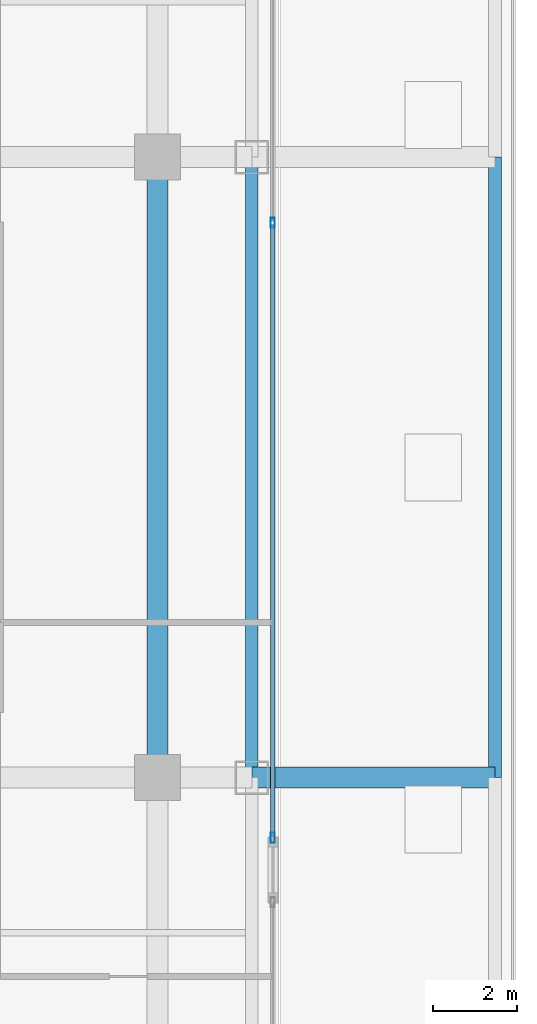
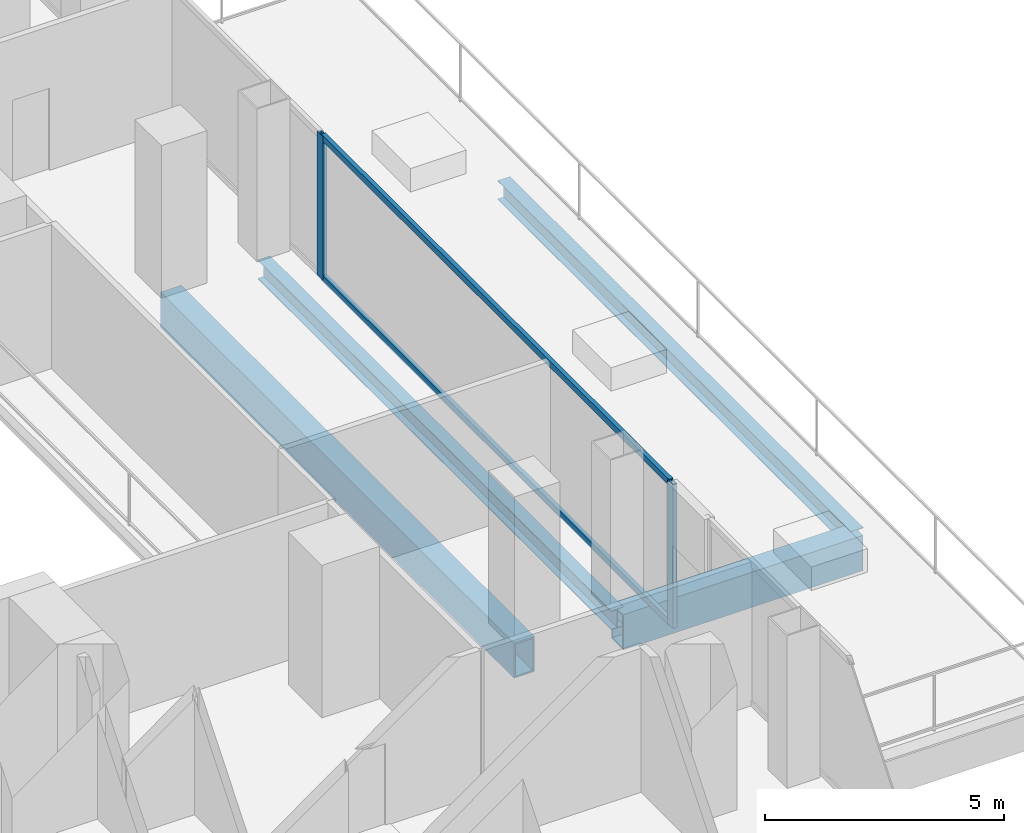
# One storey, part 12 of 29: 4 beams, 4 members, 1 element without a shape of its own.
"""IFC4 building model written with IfcOpenShell, lengths in metres."""

from ifc_helpers import new_model, si_unit, direction, frame, origin, origin_2d, place, context, subcontext, project, spatial, hollow_rectangle, i_section, extrude, material, layer, layer_set, material_profile, profile_set, type_object, element, aggregate, save


model = new_model("IFC4")

# Units and contexts
model_context = context("Model", 3, precision=1e-05, world=origin(), true_north=direction((0.0, 1.0)))
body_context = subcontext(model_context, "Body", "Model", "MODEL_VIEW")
ifc_project = project(units=[si_unit("LENGTHUNIT", "METRE"), si_unit("AREAUNIT", "SQUARE_METRE"), si_unit("VOLUMEUNIT", "CUBIC_METRE"), si_unit("PLANEANGLEUNIT", "RADIAN"), si_unit("MASSUNIT", "GRAM", prefix="KILO")], contexts=[model_context])

# Site, building, storey
site_placement = place(None, origin())
site = spatial("IfcSite", under=ifc_project, at=site_placement, CompositionType="ELEMENT")
building_placement = place(site_placement, origin())
building = spatial("IfcBuilding", under=site, at=building_placement, Name="Khorvyn Point Tower", CompositionType="ELEMENT")
storey_placement = place(building_placement, frame((0.0, 0.0, 54.0)))
storey = spatial("IfcBuildingStorey", under=building, at=storey_placement, Name="L14", CompositionType="ELEMENT", Elevation=54.0)

# Curtain wall, members
ifc_material_1 = material(Name="Anodised aluminium 6063-T6 and laminated Low-E glass", Category="aluminium")
ifc_layer = layer(ifc_material_1, 0.18994140625)
ifc_layer_set = layer_set([ifc_layer], Name="Stick-Built Finned Residential Curtain Wall CW-SYS-02")
curtain_wall_type = type_object("IfcCurtainWallType", Name="Stick-Built Finned Residential Curtain Wall CW-SYS-02", PredefinedType="NOTDEFINED", material=ifc_layer_set)
curtain_wall_placement = place(storey_placement, origin())
curtain_wall = element("IfcCurtainWall", 1, at=curtain_wall_placement, inside=storey, type_object=curtain_wall_type, Name="Curtain Wall", PredefinedType="NOTDEFINED")
ifc_material_2 = material(Name="Anodised aluminium 6063-T6", Category="aluminium")
ifc_material_profile_1 = material_profile(ifc_material_2, hollow_rectangle(XDim=0.10009765625, YDim=0.239990234375, WallThickness=0.0048828125, at=origin_2d()))
ifc_profile_set_1 = profile_set([ifc_material_profile_1], Name="Anodised aluminium 6063-T6 ALU-MUL-100x240")
member_type_1 = type_object("IfcMemberType", Name="Anodised Aluminium 6063-T6 Mullion ALU-MUL-100x240", PredefinedType="MULLION", material=ifc_profile_set_1)
member_1_placement = place(storey_placement, frame((22.14990234375, 5.83251953125, 0.0), z_axis=(0.0, 0.0, 1.0), x_axis=(1.0, 0.0, 0.0)))
member_1 = element("IfcMember", 2, at=member_1_placement, type_object=member_type_1, Name="Transom", PredefinedType="MULLION", context=body_context, shape_type="SweptSolid", body=[
    extrude(hollow_rectangle(XDim=0.10009765625, YDim=0.239990234375, WallThickness=0.0048828125, at=origin_2d()), origin(), (0.0, 0.0, 1.0), 3.679931640625),
])
member_2_placement = place(storey_placement, frame((22.14990234375, -8.8349609375, 0.0), z_axis=(0.0, 0.0, 1.0), x_axis=(1.0, 0.0, 0.0)))
member_2 = element("IfcMember", 3, at=member_2_placement, type_object=member_type_1, Name="Transom", PredefinedType="MULLION", context=body_context, shape_type="SweptSolid", body=[
    extrude(hollow_rectangle(XDim=0.10009765625, YDim=0.239990234375, WallThickness=0.0048828125, at=origin_2d()), origin(), (0.0, 0.0, 1.0), 3.679931640625),
])
ifc_material_profile_2 = material_profile(ifc_material_2, hollow_rectangle(XDim=0.10009765625, YDim=0.159912109375, WallThickness=0.00439453125, at=origin_2d()))
ifc_profile_set_2 = profile_set([ifc_material_profile_2], Name="Anodised aluminium 6063-T6 ALU-TRN-100x160")
member_type_2 = type_object("IfcMemberType", Name="Anodised Aluminium 6063-T6 Transom ALU-TRN-100x160", PredefinedType="USERDEFINED", material=ifc_profile_set_2)
member_3_placement = place(storey_placement, frame((22.14990234375, 5.782470703125, 0.050048828125), z_axis=(0.0, -1.0, 0.0), x_axis=(1.0, 0.0, 0.0)))
member_3 = element("IfcMember", 4, at=member_3_placement, type_object=member_type_2, Name="Transom", ObjectType="TRANSOM", PredefinedType="USERDEFINED", context=body_context, shape_type="SweptSolid", body=[
    extrude(hollow_rectangle(XDim=0.10009765625, YDim=0.159912109375, WallThickness=0.00439453125, at=origin_2d()), origin(), (0.0, 0.0, 1.0), 14.5673828125),
])
member_4_placement = place(storey_placement, frame((22.14990234375, 5.782470703125, 3.6298828125), z_axis=(0.0, -1.0, 0.0), x_axis=(1.0, 0.0, 0.0)))
member_4 = element("IfcMember", 5, at=member_4_placement, type_object=member_type_2, Name="Transom", ObjectType="TRANSOM", PredefinedType="USERDEFINED", context=body_context, shape_type="SweptSolid", body=[
    extrude(hollow_rectangle(XDim=0.10009765625, YDim=0.159912109375, WallThickness=0.00439453125, at=origin_2d()), origin(), (0.0, 0.0, 1.0), 14.5673828125),
])
aggregate(curtain_wall, [member_1, member_2, member_3, member_4])

# Beams
ifc_material_3 = material(Name="Steel S355", Category="steel")
ifc_material_profile_3 = material_profile(ifc_material_3, i_section(OverallWidth=0.300048828125, OverallDepth=0.488037109375, WebThickness=0.010986328125, FlangeThickness=0.01806640625, at=origin_2d()))
ifc_profile_set_3 = profile_set([ifc_material_profile_3], Name="Steel S355 H488x300x11x18")
beam_type_1 = type_object("IfcBeamType", Name="Steel S355 Spandrel H488x300x11x18", PredefinedType="SPANDREL", material=ifc_profile_set_3)
for number, where, z_axis, x_axis, name in (
    (6, (21.64990234375, -7.39990234375, -0.52392578125), (0.0, 1.0, 0.0), (-1.0, 0.0, 0.0), "Beam"),
    (7, (27.449951171875, -7.39990234375, -0.52392578125), (0.0, 1.0, 0.0), (-1.0, 0.0, 0.0), "Beam"),
):
    element("IfcBeam", number, at=place(storey_placement, frame(where, z_axis=z_axis, x_axis=x_axis)), inside=storey, type_object=beam_type_1, Name=name, PredefinedType="SPANDREL", context=body_context, shape_type="SweptSolid", body=[
        extrude(i_section(OverallWidth=0.300048828125, OverallDepth=0.488037109375, WebThickness=0.010986328125, FlangeThickness=0.01806640625, at=origin_2d()), origin(), (0.0, 0.0, 1.0), 14.7998046875),
    ])
ifc_material_4 = material(Name="Steel S450", Category="steel")
ifc_material_profile_4 = material_profile(ifc_material_4, hollow_rectangle(XDim=0.5, YDim=0.89990234375, WallThickness=0.0400390625, at=origin_2d()))
ifc_profile_set_4 = profile_set([ifc_material_profile_4], Name="Steel S450 BOX900x500x40")
beam_type_2 = type_object("IfcBeamType", Name="Steel S450 Beam BOX900x500x40", PredefinedType="BEAM", material=ifc_profile_set_4)
beam_1_placement = place(storey_placement, frame((21.64990234375, -7.39990234375, -0.72998046875), z_axis=(1.0, 0.0, 0.0), x_axis=(0.0, 1.0, 0.0)))
element("IfcBeam", 8, at=beam_1_placement, inside=storey, type_object=beam_type_2, Name="Beam", PredefinedType="BEAM", context=body_context, shape_type="SweptSolid", body=[
    extrude(hollow_rectangle(XDim=0.5, YDim=0.89990234375, WallThickness=0.0400390625, at=origin_2d()), origin(), (0.0, 0.0, 1.0), 5.800048828125),
])
beam_2_placement = place(storey_placement, frame((19.39990234375, -7.39990234375, -0.72998046875), z_axis=(0.0, 1.0, 0.0), x_axis=(-1.0, 0.0, 0.0)))
element("IfcBeam", 9, at=beam_2_placement, inside=storey, type_object=beam_type_2, Name="Beam", PredefinedType="BEAM", context=body_context, shape_type="SweptSolid", body=[
    extrude(hollow_rectangle(XDim=0.5, YDim=0.89990234375, WallThickness=0.0400390625, at=origin_2d()), origin(), (0.0, 0.0, 1.0), 14.7998046875),
])

save(model, "model.ifc")
